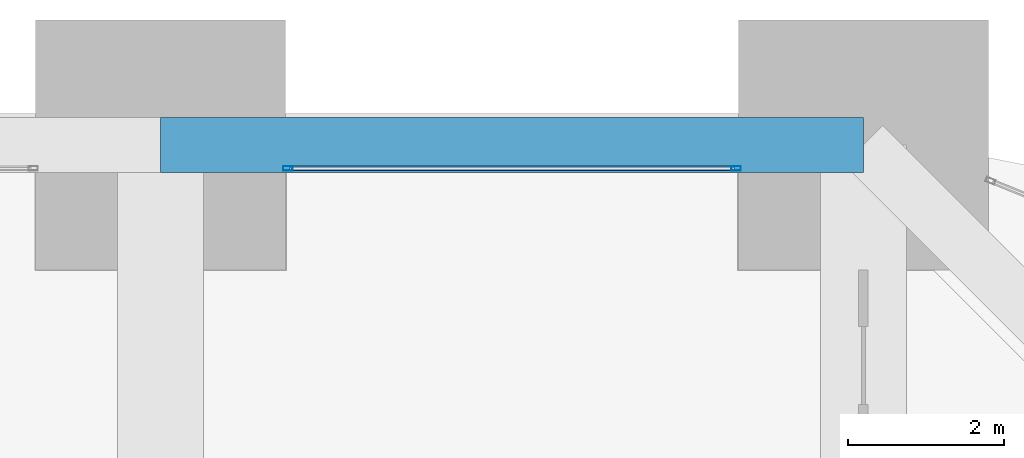
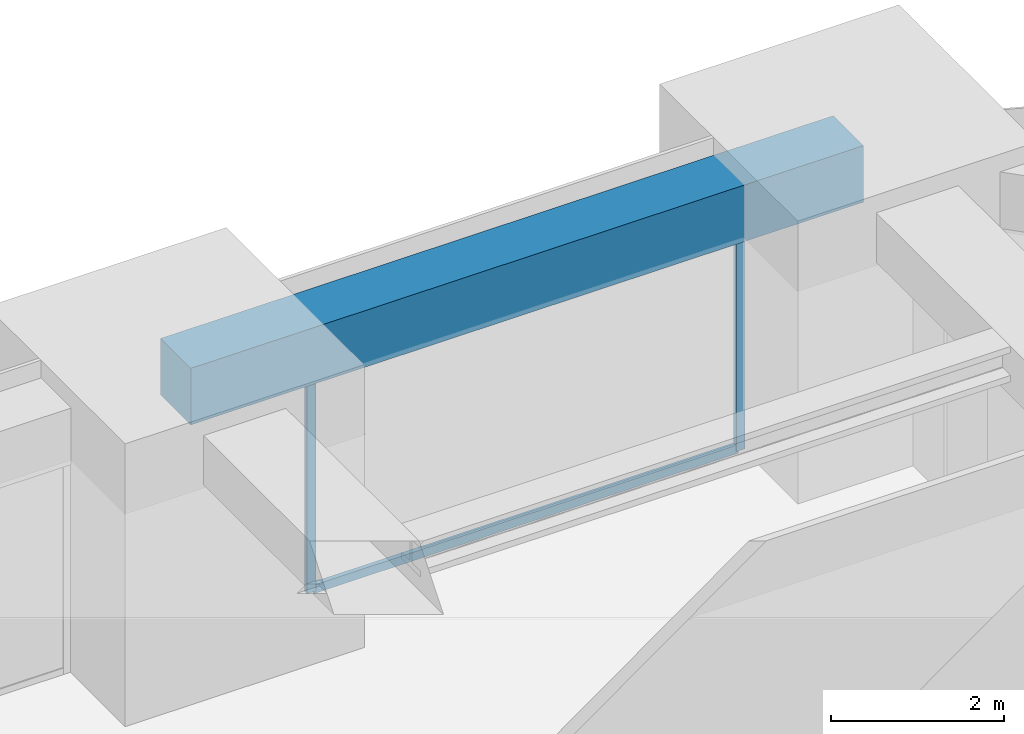
# One storey, part 31 of 40: 3 members, 1 beam, 1 element without a shape of its own.
"""IFC4 building model written with IfcOpenShell, lengths in metres."""

from ifc_helpers import new_model, si_unit, direction, frame, origin, origin_2d, place, context, subcontext, project, spatial, rectangle, hollow_rectangle, extrude, material, material_profile, profile_set, type_object, element, aggregate, save


model = new_model("IFC4")

# Units and contexts
model_context = context("Model", 3, precision=1e-05, world=origin(), true_north=direction((0.0, 1.0)))
body_context = subcontext(model_context, "Body", "Model", "MODEL_VIEW")
ifc_project = project(units=[si_unit("LENGTHUNIT", "METRE"), si_unit("AREAUNIT", "SQUARE_METRE"), si_unit("VOLUMEUNIT", "CUBIC_METRE"), si_unit("PLANEANGLEUNIT", "RADIAN"), si_unit("MASSUNIT", "GRAM", prefix="KILO")], contexts=[model_context])

# Site, building, storey
site_placement = place(None, origin())
site = spatial("IfcSite", under=ifc_project, at=site_placement, CompositionType="ELEMENT")
building_placement = place(site_placement, origin())
building = spatial("IfcBuilding", under=site, at=building_placement, Name="Zorevar Civic Tower", CompositionType="ELEMENT")
storey_placement = place(building_placement, frame((0.0, 0.0, 239.39990234375)))
storey = spatial("IfcBuildingStorey", under=building, at=storey_placement, Name="L58", CompositionType="ELEMENT", Elevation=239.39990234375)

# Curtain wall, members
ifc_material_1 = material(Name="Dark grey solar-control glass in black aluminium frame", Category="aluminium")
curtain_wall_type = type_object("IfcCurtainWallType", Name="Curtain wall CW5 top zone", PredefinedType="NOTDEFINED", material=ifc_material_1)
curtain_wall_placement = place(storey_placement, origin())
curtain_wall = element("IfcCurtainWall", 1, at=curtain_wall_placement, inside=storey, type_object=curtain_wall_type, Name="CW5 L58", PredefinedType="NOTDEFINED")
ifc_material_2 = material(Name="Aluminium, black anodised", Category="aluminium")
ifc_material_profile_1 = material_profile(ifc_material_2, hollow_rectangle(XDim=0.06005859375, YDim=0.1201171875, WallThickness=0.0029296875, at=origin_2d()), Name="AL 120x60x3")
ifc_profile_set_1 = profile_set([ifc_material_profile_1], Name="Aluminium, black anodised")
member_type_1 = type_object("IfcMemberType", Name="CW5 mullion AL 120x60x3", PredefinedType="MULLION", material=ifc_profile_set_1)
member_1_placement = place(storey_placement, frame((37.6298828125, 44.699951171875, 0.0), z_axis=(0.0, 0.0, 1.0), x_axis=(0.0, 1.0, 0.0)))
member_1 = element("IfcMember", 2, at=member_1_placement, type_object=member_type_1, Name="CW5 mullion 1", PredefinedType="MULLION", context=body_context, shape_type="SweptSolid", body=[
    extrude(hollow_rectangle(XDim=0.06005859375, YDim=0.1201171875, WallThickness=0.0029296875, at=origin_2d()), origin(), (0.0, 0.0, 1.0), 2.9501953125),
])
member_2_placement = place(storey_placement, frame((43.3701171875, 44.699951171875, 0.0), z_axis=(0.0, 0.0, 1.0), x_axis=(0.0, 1.0, 0.0)))
member_2 = element("IfcMember", 3, at=member_2_placement, type_object=member_type_1, Name="CW5 mullion 2", PredefinedType="MULLION", context=body_context, shape_type="SweptSolid", body=[
    extrude(hollow_rectangle(XDim=0.06005859375, YDim=0.1201171875, WallThickness=0.0029296875, at=origin_2d()), origin(), (0.0, 0.0, 1.0), 2.9501953125),
])
ifc_material_3 = material(Name="Aluminium, black anodised", Category="aluminium")
ifc_material_profile_2 = material_profile(ifc_material_3, hollow_rectangle(XDim=0.06005859375, YDim=0.1201171875, WallThickness=0.0029296875, at=origin_2d()), Name="AL 120x60x3")
ifc_profile_set_2 = profile_set([ifc_material_profile_2], Name="Aluminium, black anodised")
member_type_2 = type_object("IfcMemberType", Name="CW5 transom AL 120x60x3", PredefinedType="USERDEFINED", material=ifc_profile_set_2)
member_3_placement = place(storey_placement, frame((37.659912109375, 44.699951171875, 0.030029296875), z_axis=(1.0, 0.0, 0.0), x_axis=(0.0, 1.0, 0.0)))
member_3 = element("IfcMember", 4, at=member_3_placement, type_object=member_type_2, Name="CW5 sill transom", ObjectType="TRANSOM", PredefinedType="USERDEFINED", context=body_context, shape_type="SweptSolid", body=[
    extrude(hollow_rectangle(XDim=0.06005859375, YDim=0.1201171875, WallThickness=0.0029296875, at=origin_2d()), origin(), (0.0, 0.0, 1.0), 5.68017578125),
])
aggregate(curtain_wall, [member_1, member_2, member_3])

# Beam
ifc_material_4 = material(Name="Concrete C50/60", Category="concrete")
ifc_material_profile_3 = material_profile(ifc_material_4, rectangle(XDim=0.699951171875, YDim=0.800048828125, at=origin_2d()), Name="RC 700x800")
ifc_profile_set_3 = profile_set([ifc_material_profile_3], Name="Concrete C50/60")
beam_type = type_object("IfcBeamType", Name="Edge beam RC 700x800", PredefinedType="SPANDREL", material=ifc_profile_set_3)
beam_placement = place(storey_placement, frame((36.0, 45.0, 3.35009765625), z_axis=(1.0, 0.0, 0.0), x_axis=(0.0, 1.0, 0.0)))
element("IfcBeam", 5, at=beam_placement, inside=storey, type_object=beam_type, Name="Edge beam L59", PredefinedType="SPANDREL", context=body_context, shape_type="SweptSolid", body=[
    extrude(rectangle(XDim=0.699951171875, YDim=0.800048828125, at=origin_2d()), origin(), (0.0, 0.0, 1.0), 9.0),
])

save(model, "model.ifc")
